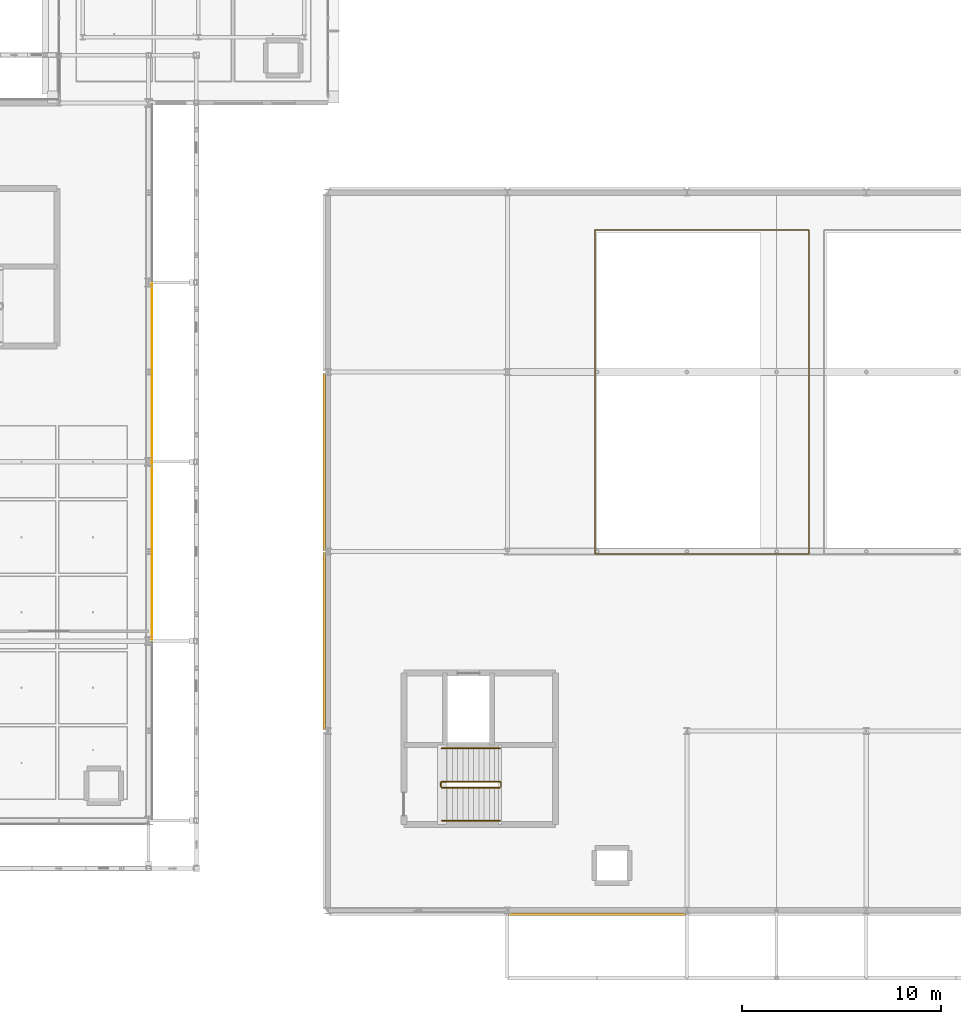
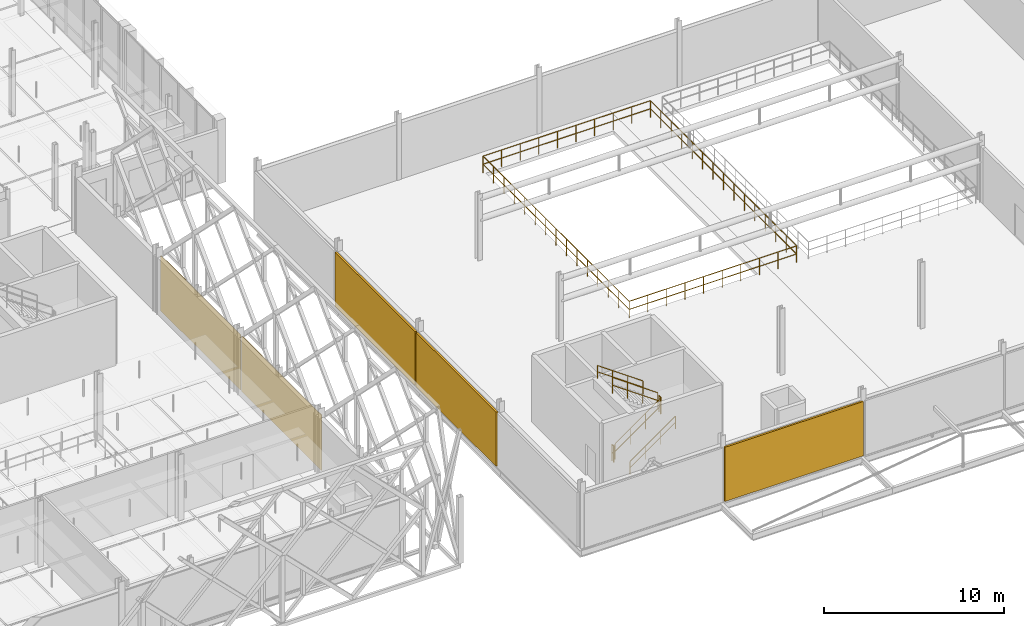
# One storey, part 131 of 140: 7 railings, 5 coverings.
"""IFC4 building model written with IfcOpenShell, lengths in metres."""

from ifc_helpers import new_model, si_unit, direction, frame, origin, origin_2d, place, context, subcontext, project, spatial, rectangle, circle, extrude, material, layer, layer_set, type_object, element, save


model = new_model("IFC4")

# Units and contexts
model_context = context("Model", 3, precision=1e-05, world=origin(), true_north=direction((0.0, 1.0)))
body_context = subcontext(model_context, "Body", "Model", "MODEL_VIEW")
ifc_project = project(units=[si_unit("LENGTHUNIT", "METRE"), si_unit("AREAUNIT", "SQUARE_METRE"), si_unit("VOLUMEUNIT", "CUBIC_METRE"), si_unit("PLANEANGLEUNIT", "RADIAN"), si_unit("MASSUNIT", "GRAM", prefix="KILO"), si_unit("THERMODYNAMICTEMPERATUREUNIT", "KELVIN"), si_unit("POWERUNIT", "WATT")], contexts=[model_context])

# Site, building, storey
site_placement = place(None, origin())
site = spatial("IfcSite", under=ifc_project, at=site_placement, CompositionType="ELEMENT")
building_placement = place(site_placement, origin())
building = spatial("IfcBuilding", under=site, at=building_placement, Name="Tallowbark Science Centre", CompositionType="ELEMENT")
storey_placement = place(building_placement, frame((0.0, 0.0, 9.89990234375)))
storey = spatial("IfcBuildingStorey", under=building, at=storey_placement, Name="L02", CompositionType="ELEMENT", Elevation=9.89990234375)

# Coverings
ifc_material_1 = material(Name="White Architectural Precast Concrete Grade N40 (40 MPa)", Category="concrete")
ifc_layer_1 = layer(ifc_material_1, 0.1201171875)
ifc_layer_set_1 = layer_set([ifc_layer_1], Name="White Architectural Precast Concrete Grade N40 (40 MPa)")
covering_type_1 = type_object("IfcCoveringType", Name="COV-PRC-CLAD", PredefinedType="CLADDING", material=ifc_layer_set_1)
for number, where, z_axis, x_axis, name in (
    (1, (126.0, -0.1923828125, 0.050048828125), (0.0, 0.0, 1.0), (1.0, 0.0, 0.0), "Architectural Rainscreen THT-S-L02-1"),
    (2, (112.3076171875, 13.5, 0.050048828125), (0.0, 0.0, 1.0), (0.0, -1.0, 0.0), "Architectural Rainscreen THT-W-L02-1"),
    (3, (112.3076171875, 22.5, 0.050048828125), (0.0, 0.0, 1.0), (0.0, -1.0, 0.0), "Architectural Rainscreen THT-W-L02-2"),
):
    element("IfcCovering", number, at=place(storey_placement, frame(where, z_axis=z_axis, x_axis=x_axis)), inside=storey, type_object=covering_type_1, Name=name, PredefinedType="CLADDING", context=body_context, shape_type="SweptSolid", body=[
        extrude(rectangle(XDim=8.8798828125, YDim=0.1201171875, at=origin_2d()), origin(), (0.0, 0.0, 1.0), 3.68115234375),
    ])
ifc_material_2 = material(Name="Spotted Gum Hardwood Architectural Rainscreen", Category="wood")
ifc_layer_2 = layer(ifc_material_2, 0.0419921875)
ifc_layer_set_2 = layer_set([ifc_layer_2], Name="Spotted Gum Hardwood Architectural Rainscreen")
covering_type_2 = type_object("IfcCoveringType", Name="COV-TIM-CLAD", PredefinedType="CLADDING", material=ifc_layer_set_2)
for number, where, z_axis, x_axis, name in (
    (4, (103.66845703125, 18.0, 0.050048828125), (0.0, 0.0, 1.0), (0.0, 1.0, 0.0), "Architectural Rainscreen CUB-E-L02-1"),
    (5, (103.66845703125, 27.0, 0.050048828125), (0.0, 0.0, 1.0), (0.0, 1.0, 0.0), "Architectural Rainscreen CUB-E-L02-2"),
):
    element("IfcCovering", number, at=place(storey_placement, frame(where, z_axis=z_axis, x_axis=x_axis)), inside=storey, type_object=covering_type_2, Name=name, PredefinedType="CLADDING", context=body_context, shape_type="SweptSolid", body=[
        extrude(rectangle(XDim=8.8798828125, YDim=0.0419921875, at=origin_2d()), origin(), (0.0, 0.0, 1.0), 3.74609375),
    ])

# Railings
ifc_material_3 = material(Name="Galvanised Painted Steel and Laminated Glass Balustrade", Category="steel")
ifc_layer_3 = layer(ifc_material_3, 0.070068359375)
ifc_layer_set_3 = layer_set([ifc_layer_3], Name="Galvanised Painted Steel and Laminated Glass Balustrade")
railing_type_1 = type_object("IfcRailingType", Name="RLG-BAL-1150", PredefinedType="BALUSTRADE", material=ifc_layer_set_3)
railing_1_placement = place(storey_placement, frame((125.8798828125, 17.8798828125, 0.0)))
element("IfcRailing", 6, at=railing_1_placement, inside=storey, type_object=railing_type_1, Name="Guardrail GD-THT-VOID-L02W", PredefinedType="BALUSTRADE", context=body_context, shape_type="SweptSolid", body=[
    extrude(circle(Radius=0.02392578125, at=origin_2d()), frame((0.0, 0.0, 1.1259765625), z_axis=(1.0, 0.0, 0.0), x_axis=(0.0, 1.0, 0.0)), (0.0, 0.0, 1.0), 10.740234375),
    extrude(circle(Radius=0.02392578125, at=origin_2d()), frame((0.0, 0.0, 0.574951171875), z_axis=(1.0, 0.0, 0.0), x_axis=(0.0, 1.0, 0.0)), (0.0, 0.0, 1.0), 10.740234375),
    extrude(circle(Radius=0.02392578125, at=origin_2d()), frame((10.740234375, 0.0, 1.1259765625), z_axis=(0.0, 1.0, 0.0), x_axis=(-1.0, 0.0, 0.0)), (0.0, 0.0, 1.0), 16.240234375),
    extrude(circle(Radius=0.02392578125, at=origin_2d()), frame((10.740234375, 0.0, 0.574951171875), z_axis=(0.0, 1.0, 0.0), x_axis=(-1.0, 0.0, 0.0)), (0.0, 0.0, 1.0), 16.240234375),
    extrude(circle(Radius=0.02392578125, at=origin_2d()), frame((10.740234375, 16.240234375, 1.1259765625), z_axis=(-1.0, 0.0, 0.0), x_axis=(0.0, -1.0, 0.0)), (0.0, 0.0, 1.0), 10.740234375),
    extrude(circle(Radius=0.02392578125, at=origin_2d()), frame((10.740234375, 16.240234375, 0.574951171875), z_axis=(-1.0, 0.0, 0.0), x_axis=(0.0, -1.0, 0.0)), (0.0, 0.0, 1.0), 10.740234375),
    extrude(circle(Radius=0.02392578125, at=origin_2d()), frame((0.0, 16.240234375, 1.1259765625), z_axis=(0.0, -1.0, 0.0), x_axis=(1.0, 0.0, 0.0)), (0.0, 0.0, 1.0), 16.240234375),
    extrude(circle(Radius=0.02392578125, at=origin_2d()), frame((0.0, 16.240234375, 0.574951171875), z_axis=(0.0, -1.0, 0.0), x_axis=(1.0, 0.0, 0.0)), (0.0, 0.0, 1.0), 16.240234375),
    extrude(circle(Radius=0.02099609375, at=origin_2d()), origin(), (0.0, 0.0, 1.0), 1.101806640625),
    extrude(circle(Radius=0.02099609375, at=origin_2d()), frame((1.193359375, 0.0, 0.0)), (0.0, 0.0, 1.0), 1.101806640625),
    extrude(circle(Radius=0.02099609375, at=origin_2d()), frame((2.38671875, 0.0, 0.0)), (0.0, 0.0, 1.0), 1.101806640625),
    extrude(circle(Radius=0.02099609375, at=origin_2d()), frame((3.580078125, 0.0, 0.0)), (0.0, 0.0, 1.0), 1.101806640625),
    extrude(circle(Radius=0.02099609375, at=origin_2d()), frame((4.7734375, 0.0, 0.0)), (0.0, 0.0, 1.0), 1.101806640625),
    extrude(circle(Radius=0.02099609375, at=origin_2d()), frame((5.966796875, 0.0, 0.0)), (0.0, 0.0, 1.0), 1.101806640625),
    extrude(circle(Radius=0.02099609375, at=origin_2d()), frame((7.16015625, 0.0, 0.0)), (0.0, 0.0, 1.0), 1.101806640625),
    extrude(circle(Radius=0.02099609375, at=origin_2d()), frame((8.353515625, 0.0, 0.0)), (0.0, 0.0, 1.0), 1.101806640625),
    extrude(circle(Radius=0.02099609375, at=origin_2d()), frame((9.546875, 0.0, 0.0)), (0.0, 0.0, 1.0), 1.101806640625),
    extrude(circle(Radius=0.02099609375, at=origin_2d()), frame((10.740234375, 0.0, 0.0)), (0.0, 0.0, 1.0), 1.101806640625),
    extrude(circle(Radius=0.02099609375, at=origin_2d()), frame((10.740234375, 1.159912109375, 0.0)), (0.0, 0.0, 1.0), 1.101806640625),
    extrude(circle(Radius=0.02099609375, at=origin_2d()), frame((10.740234375, 2.320068359375, 0.0)), (0.0, 0.0, 1.0), 1.101806640625),
    extrude(circle(Radius=0.02099609375, at=origin_2d()), frame((10.740234375, 3.47998046875, 0.0)), (0.0, 0.0, 1.0), 1.101806640625),
    extrude(circle(Radius=0.02099609375, at=origin_2d()), frame((10.740234375, 4.64013671875, 0.0)), (0.0, 0.0, 1.0), 1.101806640625),
    extrude(circle(Radius=0.02099609375, at=origin_2d()), frame((10.740234375, 5.800048828125, 0.0)), (0.0, 0.0, 1.0), 1.101806640625),
    extrude(circle(Radius=0.02099609375, at=origin_2d()), frame((10.740234375, 6.960205078125, 0.0)), (0.0, 0.0, 1.0), 1.101806640625),
    extrude(circle(Radius=0.02099609375, at=origin_2d()), frame((10.740234375, 8.1201171875, 0.0)), (0.0, 0.0, 1.0), 1.101806640625),
    extrude(circle(Radius=0.02099609375, at=origin_2d()), frame((10.740234375, 9.280029296875, 0.0)), (0.0, 0.0, 1.0), 1.101806640625),
    extrude(circle(Radius=0.02099609375, at=origin_2d()), frame((10.740234375, 10.440185546875, 0.0)), (0.0, 0.0, 1.0), 1.101806640625),
    extrude(circle(Radius=0.02099609375, at=origin_2d()), frame((10.740234375, 11.60009765625, 0.0)), (0.0, 0.0, 1.0), 1.101806640625),
    extrude(circle(Radius=0.02099609375, at=origin_2d()), frame((10.740234375, 12.76025390625, 0.0)), (0.0, 0.0, 1.0), 1.101806640625),
    extrude(circle(Radius=0.02099609375, at=origin_2d()), frame((10.740234375, 13.920166015625, 0.0)), (0.0, 0.0, 1.0), 1.101806640625),
    extrude(circle(Radius=0.02099609375, at=origin_2d()), frame((10.740234375, 15.080322265625, 0.0)), (0.0, 0.0, 1.0), 1.101806640625),
    extrude(circle(Radius=0.02099609375, at=origin_2d()), frame((10.740234375, 16.240234375, 0.0)), (0.0, 0.0, 1.0), 1.101806640625),
    extrude(circle(Radius=0.02099609375, at=origin_2d()), frame((9.546875, 16.240234375, 0.0)), (0.0, 0.0, 1.0), 1.101806640625),
    extrude(circle(Radius=0.02099609375, at=origin_2d()), frame((8.353515625, 16.240234375, 0.0)), (0.0, 0.0, 1.0), 1.101806640625),
    extrude(circle(Radius=0.02099609375, at=origin_2d()), frame((7.16015625, 16.240234375, 0.0)), (0.0, 0.0, 1.0), 1.101806640625),
    extrude(circle(Radius=0.02099609375, at=origin_2d()), frame((5.966796875, 16.240234375, 0.0)), (0.0, 0.0, 1.0), 1.101806640625),
    extrude(circle(Radius=0.02099609375, at=origin_2d()), frame((4.7734375, 16.240234375, 0.0)), (0.0, 0.0, 1.0), 1.101806640625),
    extrude(circle(Radius=0.02099609375, at=origin_2d()), frame((3.580078125, 16.240234375, 0.0)), (0.0, 0.0, 1.0), 1.101806640625),
    extrude(circle(Radius=0.02099609375, at=origin_2d()), frame((2.38671875, 16.240234375, 0.0)), (0.0, 0.0, 1.0), 1.101806640625),
    extrude(circle(Radius=0.02099609375, at=origin_2d()), frame((1.193359375, 16.240234375, 0.0)), (0.0, 0.0, 1.0), 1.101806640625),
    extrude(circle(Radius=0.02099609375, at=origin_2d()), frame((0.0, 16.240234375, 0.0)), (0.0, 0.0, 1.0), 1.101806640625),
    extrude(circle(Radius=0.02099609375, at=origin_2d()), frame((0.0, 15.080322265625, 0.0)), (0.0, 0.0, 1.0), 1.101806640625),
    extrude(circle(Radius=0.02099609375, at=origin_2d()), frame((0.0, 13.920166015625, 0.0)), (0.0, 0.0, 1.0), 1.101806640625),
    extrude(circle(Radius=0.02099609375, at=origin_2d()), frame((0.0, 12.76025390625, 0.0)), (0.0, 0.0, 1.0), 1.101806640625),
    extrude(circle(Radius=0.02099609375, at=origin_2d()), frame((0.0, 11.60009765625, 0.0)), (0.0, 0.0, 1.0), 1.101806640625),
    extrude(circle(Radius=0.02099609375, at=origin_2d()), frame((0.0, 10.440185546875, 0.0)), (0.0, 0.0, 1.0), 1.101806640625),
    extrude(circle(Radius=0.02099609375, at=origin_2d()), frame((0.0, 9.280029296875, 0.0)), (0.0, 0.0, 1.0), 1.101806640625),
    extrude(circle(Radius=0.02099609375, at=origin_2d()), frame((0.0, 8.1201171875, 0.0)), (0.0, 0.0, 1.0), 1.101806640625),
    extrude(circle(Radius=0.02099609375, at=origin_2d()), frame((0.0, 6.960205078125, 0.0)), (0.0, 0.0, 1.0), 1.101806640625),
    extrude(circle(Radius=0.02099609375, at=origin_2d()), frame((0.0, 5.800048828125, 0.0)), (0.0, 0.0, 1.0), 1.101806640625),
    extrude(circle(Radius=0.02099609375, at=origin_2d()), frame((0.0, 4.64013671875, 0.0)), (0.0, 0.0, 1.0), 1.101806640625),
    extrude(circle(Radius=0.02099609375, at=origin_2d()), frame((0.0, 3.47998046875, 0.0)), (0.0, 0.0, 1.0), 1.101806640625),
    extrude(circle(Radius=0.02099609375, at=origin_2d()), frame((0.0, 2.320068359375, 0.0)), (0.0, 0.0, 1.0), 1.101806640625),
    extrude(circle(Radius=0.02099609375, at=origin_2d()), frame((0.0, 1.159912109375, 0.0)), (0.0, 0.0, 1.0), 1.101806640625),
])
railing_2_placement = place(storey_placement, frame((118.2099609375, 6.159912109375, 0.1875)))
element("IfcRailing", 7, at=railing_2_placement, inside=storey, type_object=railing_type_1, Name="L02 ST-06 stair guard 1", PredefinedType="BALUSTRADE", context=body_context, shape_type="SweptSolid", body=[
    extrude(circle(Radius=0.02392578125, at=origin_2d()), frame((0.0, 0.0, 1.076171875), z_axis=(0.816330724661, 0.0, 0.577584753931), x_axis=(0.0, 1.0, 0.0)), (0.0, 0.0, 1.0), 3.57080078125),
    extrude(circle(Radius=0.02392578125, at=origin_2d()), frame((0.0, 0.0, 0.550048828125), z_axis=(0.816330724661, 0.0, 0.577584753931), x_axis=(0.0, 1.0, 0.0)), (0.0, 0.0, 1.0), 3.57080078125),
    extrude(circle(Radius=0.02099609375, at=origin_2d()), origin(), (0.0, 0.0, 1.0), 1.052001953125),
    extrude(circle(Radius=0.02099609375, at=origin_2d()), frame((0.9716796875, 0.0, 0.6875)), (0.0, 0.0, 1.0), 1.052001953125),
    extrude(circle(Radius=0.02099609375, at=origin_2d()), frame((1.943359375, 0.0, 1.375)), (0.0, 0.0, 1.0), 1.052001953125),
    extrude(circle(Radius=0.02099609375, at=origin_2d()), frame((2.9150390625, 0.0, 2.0625)), (0.0, 0.0, 1.0), 1.052001953125),
])
railing_3_placement = place(storey_placement, frame((121.175048828125, 6.2099609375, 2.25)))
element("IfcRailing", 8, at=railing_3_placement, inside=storey, type_object=railing_type_1, Name="L02 ST-06 stair guard 2", PredefinedType="BALUSTRADE", context=body_context, shape_type="SweptSolid", body=[
    extrude(circle(Radius=0.02392578125, at=origin_2d()), frame((0.0, 0.0, 1.076171875), z_axis=(0.0, 1.0, 0.0), x_axis=(-1.0, 0.0, 0.0)), (0.0, 0.0, 1.0), 0.199951171875),
    extrude(circle(Radius=0.02392578125, at=origin_2d()), frame((0.0, 0.0, 0.550048828125), z_axis=(0.0, 1.0, 0.0), x_axis=(-1.0, 0.0, 0.0)), (0.0, 0.0, 1.0), 0.199951171875),
    extrude(circle(Radius=0.02099609375, at=origin_2d()), origin(), (0.0, 0.0, 1.0), 1.052001953125),
    extrude(circle(Radius=0.02099609375, at=origin_2d()), frame((0.0, 0.199951171875, 0.0)), (0.0, 0.0, 1.0), 1.052001953125),
])
railing_4_placement = place(storey_placement, frame((121.125, 6.4599609375, 2.4375)))
element("IfcRailing", 9, at=railing_4_placement, inside=storey, type_object=railing_type_1, Name="L02 ST-06 stair guard 3", PredefinedType="BALUSTRADE", context=body_context, shape_type="SweptSolid", body=[
    extrude(circle(Radius=0.02392578125, at=origin_2d()), frame((0.0, 0.0, 1.076171875), z_axis=(-0.816330724661, 0.0, 0.577584753931), x_axis=(0.0, -1.0, 0.0)), (0.0, 0.0, 1.0), 3.57080078125),
    extrude(circle(Radius=0.02392578125, at=origin_2d()), frame((0.0, 0.0, 0.550048828125), z_axis=(-0.816330724661, 0.0, 0.577584753931), x_axis=(0.0, -1.0, 0.0)), (0.0, 0.0, 1.0), 3.57080078125),
    extrude(circle(Radius=0.02099609375, at=origin_2d()), origin(), (0.0, 0.0, 1.0), 1.052001953125),
    extrude(circle(Radius=0.02099609375, at=origin_2d()), frame((-0.9716796875, 0.0, 0.6875)), (0.0, 0.0, 1.0), 1.052001953125),
    extrude(circle(Radius=0.02099609375, at=origin_2d()), frame((-1.943359375, 0.0, 1.375)), (0.0, 0.0, 1.0), 1.052001953125),
    extrude(circle(Radius=0.02099609375, at=origin_2d()), frame((-2.9150390625, 0.0, 2.0625)), (0.0, 0.0, 1.0), 1.052001953125),
])
railing_5_placement = place(storey_placement, frame((118.159912109375, 6.2099609375, 0.0)))
element("IfcRailing", 10, at=railing_5_placement, inside=storey, type_object=railing_type_1, Name="L02 ST-06 stair guard 4", PredefinedType="BALUSTRADE", context=body_context, shape_type="SweptSolid", body=[
    extrude(circle(Radius=0.02392578125, at=origin_2d()), frame((0.0, 0.0, 1.076171875), z_axis=(0.0, 1.0, 0.0), x_axis=(-1.0, 0.0, 0.0)), (0.0, 0.0, 1.0), 0.199951171875),
    extrude(circle(Radius=0.02392578125, at=origin_2d()), frame((0.0, 0.0, 0.550048828125), z_axis=(0.0, 1.0, 0.0), x_axis=(-1.0, 0.0, 0.0)), (0.0, 0.0, 1.0), 0.199951171875),
    extrude(circle(Radius=0.02099609375, at=origin_2d()), origin(), (0.0, 0.0, 1.0), 1.052001953125),
    extrude(circle(Radius=0.02099609375, at=origin_2d()), frame((0.0, 0.199951171875, 0.0)), (0.0, 0.0, 1.0), 1.052001953125),
])
ifc_material_4 = material(Name="Brushed Grade 316 Stainless Steel Handrail", Category="steel")
ifc_layer_4 = layer(ifc_material_4, 0.050048828125)
ifc_layer_set_4 = layer_set([ifc_layer_4], Name="Brushed Grade 316 Stainless Steel Handrail")
railing_type_2 = type_object("IfcRailingType", Name="RLG-HDR-950", PredefinedType="HANDRAIL", material=ifc_layer_set_4)
railing_6_placement = place(storey_placement, frame((118.2099609375, 4.5, 0.1875)))
element("IfcRailing", 11, at=railing_6_placement, inside=storey, type_object=railing_type_2, Name="L02 ST-06 stair handrail 1", PredefinedType="HANDRAIL", context=body_context, shape_type="SweptSolid", body=[
    extrude(circle(Radius=0.02392578125, at=origin_2d()), frame((0.0, 0.0, 0.8759765625), z_axis=(0.816330724661, 0.0, 0.577584753931), x_axis=(0.0, 1.0, 0.0)), (0.0, 0.0, 1.0), 3.57080078125),
    extrude(circle(Radius=0.02392578125, at=origin_2d()), frame((0.0, 0.0, 0.449951171875), z_axis=(0.816330724661, 0.0, 0.577584753931), x_axis=(0.0, 1.0, 0.0)), (0.0, 0.0, 1.0), 3.57080078125),
    extrude(circle(Radius=0.02099609375, at=origin_2d()), origin(), (0.0, 0.0, 1.0), 0.851806640625),
    extrude(circle(Radius=0.02099609375, at=origin_2d()), frame((0.9716796875, 0.0, 0.6875)), (0.0, 0.0, 1.0), 0.851806640625),
    extrude(circle(Radius=0.02099609375, at=origin_2d()), frame((1.943359375, 0.0, 1.375)), (0.0, 0.0, 1.0), 0.851806640625),
    extrude(circle(Radius=0.02099609375, at=origin_2d()), frame((2.9150390625, 0.0, 2.0625)), (0.0, 0.0, 1.0), 0.851806640625),
])
railing_7_placement = place(storey_placement, frame((121.125, 8.1201171875, 2.4375)))
element("IfcRailing", 12, at=railing_7_placement, inside=storey, type_object=railing_type_2, Name="L02 ST-06 stair handrail 2", PredefinedType="HANDRAIL", context=body_context, shape_type="SweptSolid", body=[
    extrude(circle(Radius=0.02392578125, at=origin_2d()), frame((0.0, 0.0, 0.8759765625), z_axis=(-0.816330724661, 0.0, 0.577584753931), x_axis=(0.0, -1.0, 0.0)), (0.0, 0.0, 1.0), 3.57080078125),
    extrude(circle(Radius=0.02392578125, at=origin_2d()), frame((0.0, 0.0, 0.449951171875), z_axis=(-0.816330724661, 0.0, 0.577584753931), x_axis=(0.0, -1.0, 0.0)), (0.0, 0.0, 1.0), 3.57080078125),
    extrude(circle(Radius=0.02099609375, at=origin_2d()), origin(), (0.0, 0.0, 1.0), 0.851806640625),
    extrude(circle(Radius=0.02099609375, at=origin_2d()), frame((-0.9716796875, 0.0, 0.6875)), (0.0, 0.0, 1.0), 0.851806640625),
    extrude(circle(Radius=0.02099609375, at=origin_2d()), frame((-1.943359375, 0.0, 1.375)), (0.0, 0.0, 1.0), 0.851806640625),
    extrude(circle(Radius=0.02099609375, at=origin_2d()), frame((-2.9150390625, 0.0, 2.0625)), (0.0, 0.0, 1.0), 0.851806640625),
])

save(model, "model.ifc")
